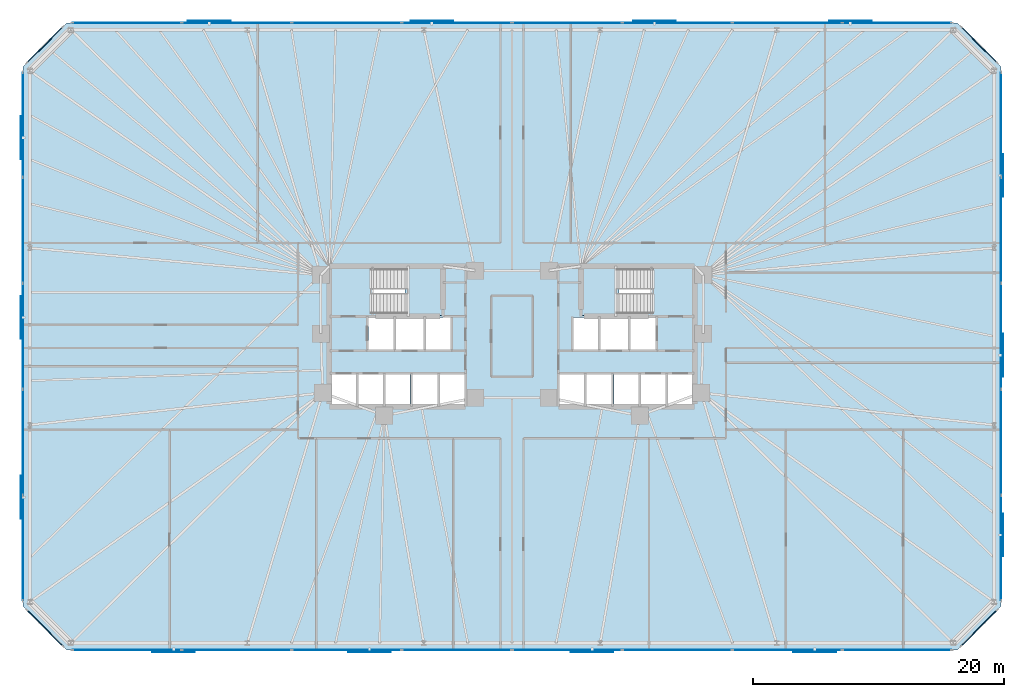
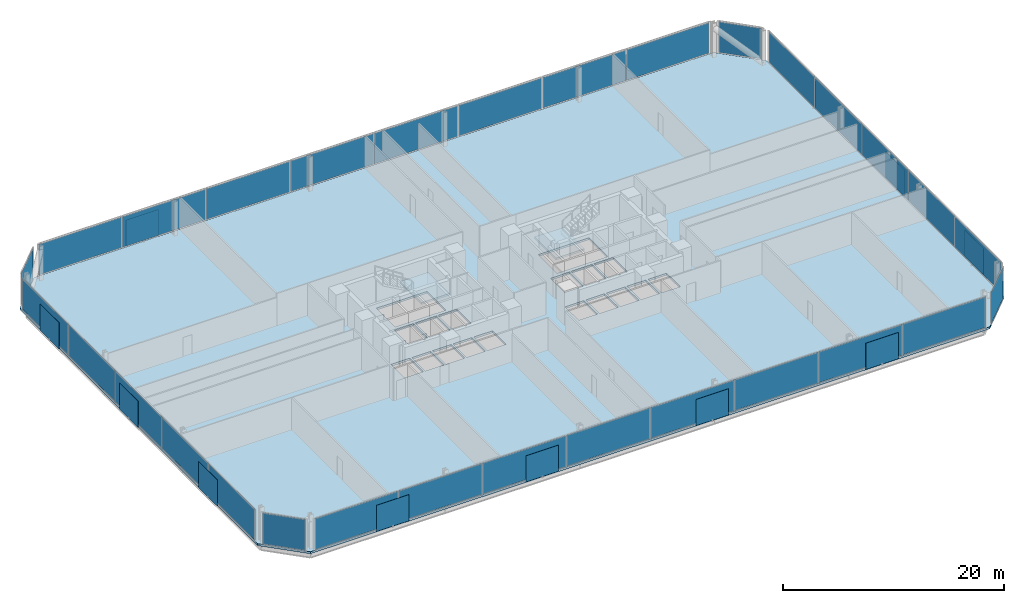
# One storey, part 11 of 17: 44 plates, 3 slabs, 10 elements without a shape of their own.
"""IFC4 building model written with IfcOpenShell, lengths in metres."""

from ifc_helpers import new_model, si_unit, direction, frame, origin, origin_2d, place, context, subcontext, project, spatial, polyline, rectangle, outline, extrude, material, layer, layer_set, type_object, element, aggregate, save


model = new_model("IFC4")

# Units and contexts
model_context = context("Model", 3, precision=1e-05, world=origin(), true_north=direction((0.0, 1.0)))
body_context = subcontext(model_context, "Body", "Model", "MODEL_VIEW")
ifc_project = project(units=[si_unit("LENGTHUNIT", "METRE"), si_unit("AREAUNIT", "SQUARE_METRE"), si_unit("VOLUMEUNIT", "CUBIC_METRE"), si_unit("PLANEANGLEUNIT", "RADIAN"), si_unit("MASSUNIT", "GRAM", prefix="KILO")], contexts=[model_context])

# Site, building, storey
site_placement = place(None, origin())
site = spatial("IfcSite", under=ifc_project, at=site_placement, CompositionType="ELEMENT")
building_placement = place(site_placement, origin())
building = spatial("IfcBuilding", under=site, at=building_placement, Name="Menara Jurai Vektor", CompositionType="ELEMENT")
storey_placement = place(building_placement, frame((0.0, 0.0, 29.39990234375)))
storey = spatial("IfcBuildingStorey", under=building, at=storey_placement, Name="L06", CompositionType="ELEMENT", Elevation=29.39990234375)

# Curtain wall, plates
ifc_material_1 = material(Name="Anodised Pale Aluminium & Low-E Double Glazing", Category="aluminium")
curtain_wall_type = type_object("IfcCurtainWallType", Name="CW-BLK1", PredefinedType="NOTDEFINED", material=ifc_material_1)
curtain_wall_1_placement = place(storey_placement, origin())
curtain_wall_1 = element("IfcCurtainWall", 1, at=curtain_wall_1_placement, inside=storey, type_object=curtain_wall_type, Name="Unitised Curtain Wall L06 F01", PredefinedType="NOTDEFINED")
ifc_material_2 = material(Name="Low-E Solar-Control Double Glazed Unit", Category="glass")
ifc_layer_1 = layer(ifc_material_2, 0.035888671875)
ifc_layer_set_1 = layer_set([ifc_layer_1], Name="Low-E Solar-Control Double Glazed Unit")
plate_type_1 = type_object("IfcPlateType", Name="CW-BLK1-PNL", PredefinedType="CURTAIN_PANEL", material=ifc_layer_set_1)
plate_1_placement = place(storey_placement, frame((-30.706298828125, -25.0, 0.09521484375), z_axis=(0.0, 0.0, 1.0), x_axis=(1.0, 0.0, 0.0)))
plate_1 = element("IfcPlate", 2, at=plate_1_placement, type_object=plate_type_1, Name="CW-01 panel 1.1", PredefinedType="CURTAIN_PANEL", context=body_context, shape_type="SweptSolid", body=[
    extrude(rectangle(XDim=8.637451171875, YDim=0.035888671875, at=origin_2d()), origin(), (0.0, 0.0, 1.0), 3.385009765625),
])
plate_2_placement = place(storey_placement, frame((-21.949951171875, -25.0, 0.09521484375), z_axis=(0.0, 0.0, 1.0), x_axis=(1.0, 0.0, 0.0)))
plate_2 = element("IfcPlate", 3, at=plate_2_placement, type_object=plate_type_1, Name="CW-01 panel 2.1", PredefinedType="CURTAIN_PANEL", context=body_context, shape_type="SweptSolid", body=[
    extrude(rectangle(XDim=8.68505859375, YDim=0.035888671875, at=origin_2d()), origin(), (0.0, 0.0, 1.0), 3.385009765625),
])
plate_3_placement = place(storey_placement, frame((-13.169921875, -25.0, 0.09521484375), z_axis=(0.0, 0.0, 1.0), x_axis=(1.0, 0.0, 0.0)))
plate_3 = element("IfcPlate", 4, at=plate_3_placement, type_object=plate_type_1, Name="CW-01 panel 3.1", PredefinedType="CURTAIN_PANEL", context=body_context, shape_type="SweptSolid", body=[
    extrude(rectangle(XDim=8.68505859375, YDim=0.035888671875, at=origin_2d()), origin(), (0.0, 0.0, 1.0), 3.385009765625),
])
plate_4_placement = place(storey_placement, frame((-4.389892578125, -25.0, 0.09521484375), z_axis=(0.0, 0.0, 1.0), x_axis=(1.0, 0.0, 0.0)))
plate_4 = element("IfcPlate", 5, at=plate_4_placement, type_object=plate_type_1, Name="CW-01 panel 4.1", PredefinedType="CURTAIN_PANEL", context=body_context, shape_type="SweptSolid", body=[
    extrude(rectangle(XDim=8.68505859375, YDim=0.035888671875, at=origin_2d()), origin(), (0.0, 0.0, 1.0), 3.385009765625),
])
plate_5_placement = place(storey_placement, frame((4.389892578125, -25.0, 0.09521484375), z_axis=(0.0, 0.0, 1.0), x_axis=(1.0, 0.0, 0.0)))
plate_5 = element("IfcPlate", 6, at=plate_5_placement, type_object=plate_type_1, Name="CW-01 panel 5.1", PredefinedType="CURTAIN_PANEL", context=body_context, shape_type="SweptSolid", body=[
    extrude(rectangle(XDim=8.68505859375, YDim=0.035888671875, at=origin_2d()), origin(), (0.0, 0.0, 1.0), 3.385009765625),
])
plate_6_placement = place(storey_placement, frame((13.169921875, -25.0, 0.09521484375), z_axis=(0.0, 0.0, 1.0), x_axis=(1.0, 0.0, 0.0)))
plate_6 = element("IfcPlate", 7, at=plate_6_placement, type_object=plate_type_1, Name="CW-01 panel 6.1", PredefinedType="CURTAIN_PANEL", context=body_context, shape_type="SweptSolid", body=[
    extrude(rectangle(XDim=8.68505859375, YDim=0.035888671875, at=origin_2d()), origin(), (0.0, 0.0, 1.0), 3.385009765625),
])
plate_7_placement = place(storey_placement, frame((21.949951171875, -25.0, 0.09521484375), z_axis=(0.0, 0.0, 1.0), x_axis=(1.0, 0.0, 0.0)))
plate_7 = element("IfcPlate", 8, at=plate_7_placement, type_object=plate_type_1, Name="CW-01 panel 7.1", PredefinedType="CURTAIN_PANEL", context=body_context, shape_type="SweptSolid", body=[
    extrude(rectangle(XDim=8.68505859375, YDim=0.035888671875, at=origin_2d()), origin(), (0.0, 0.0, 1.0), 3.385009765625),
])
plate_8_placement = place(storey_placement, frame((30.706298828125, -25.0, 0.09521484375), z_axis=(0.0, 0.0, 1.0), x_axis=(1.0, 0.0, 0.0)))
plate_8 = element("IfcPlate", 9, at=plate_8_placement, type_object=plate_type_1, Name="CW-01 panel 8.1", PredefinedType="CURTAIN_PANEL", context=body_context, shape_type="SweptSolid", body=[
    extrude(rectangle(XDim=8.637451171875, YDim=0.035888671875, at=origin_2d()), origin(), (0.0, 0.0, 1.0), 3.385009765625),
])
aggregate(curtain_wall_1, [plate_1, plate_2, plate_3, plate_4, plate_5, plate_6, plate_7, plate_8])

curtain_wall_2_placement = place(storey_placement, origin())
curtain_wall_2 = element("IfcCurtainWall", 10, at=curtain_wall_2_placement, inside=storey, type_object=curtain_wall_type, Name="Unitised Curtain Wall L06 F03", PredefinedType="NOTDEFINED")
plate_9_placement = place(storey_placement, frame((39.0, -16.872314453125, 0.09521484375), z_axis=(0.0, 0.0, 1.0), x_axis=(0.0, 1.0, 0.0)))
plate_9 = element("IfcPlate", 11, at=plate_9_placement, type_object=plate_type_1, Name="CW-01 panel 1.1", PredefinedType="CURTAIN_PANEL", context=body_context, shape_type="SweptSolid", body=[
    extrude(rectangle(XDim=8.305419921875, YDim=0.035888671875, at=origin_2d()), origin(), (0.0, 0.0, 1.0), 3.385009765625),
])
plate_10_placement = place(storey_placement, frame((39.0, -8.447998046875, 0.09521484375), z_axis=(0.0, 0.0, 1.0), x_axis=(0.0, 1.0, 0.0)))
plate_10 = element("IfcPlate", 12, at=plate_10_placement, type_object=plate_type_1, Name="CW-01 panel 2.1", PredefinedType="CURTAIN_PANEL", context=body_context, shape_type="SweptSolid", body=[
    extrude(rectangle(XDim=8.35302734375, YDim=0.035888671875, at=origin_2d()), origin(), (0.0, 0.0, 1.0), 3.385009765625),
])
plate_11_placement = place(storey_placement, frame((39.0, 0.0, 0.09521484375), z_axis=(0.0, 0.0, 1.0), x_axis=(0.0, 1.0, 0.0)))
plate_11 = element("IfcPlate", 13, at=plate_11_placement, type_object=plate_type_1, Name="CW-01 panel 3.1", PredefinedType="CURTAIN_PANEL", context=body_context, shape_type="SweptSolid", body=[
    extrude(rectangle(XDim=8.35302734375, YDim=0.035888671875, at=origin_2d()), origin(), (0.0, 0.0, 1.0), 3.385009765625),
])
plate_12_placement = place(storey_placement, frame((39.0, 8.447998046875, 0.09521484375), z_axis=(0.0, 0.0, 1.0), x_axis=(0.0, 1.0, 0.0)))
plate_12 = element("IfcPlate", 14, at=plate_12_placement, type_object=plate_type_1, Name="CW-01 panel 4.1", PredefinedType="CURTAIN_PANEL", context=body_context, shape_type="SweptSolid", body=[
    extrude(rectangle(XDim=8.35302734375, YDim=0.035888671875, at=origin_2d()), origin(), (0.0, 0.0, 1.0), 3.385009765625),
])
plate_13_placement = place(storey_placement, frame((39.0, 16.872314453125, 0.09521484375), z_axis=(0.0, 0.0, 1.0), x_axis=(0.0, 1.0, 0.0)))
plate_13 = element("IfcPlate", 15, at=plate_13_placement, type_object=plate_type_1, Name="CW-01 panel 5.1", PredefinedType="CURTAIN_PANEL", context=body_context, shape_type="SweptSolid", body=[
    extrude(rectangle(XDim=8.305419921875, YDim=0.035888671875, at=origin_2d()), origin(), (0.0, 0.0, 1.0), 3.385009765625),
])
aggregate(curtain_wall_2, [plate_9, plate_10, plate_11, plate_12, plate_13])

curtain_wall_3_placement = place(storey_placement, origin())
curtain_wall_3 = element("IfcCurtainWall", 16, at=curtain_wall_3_placement, inside=storey, type_object=curtain_wall_type, Name="Unitised Curtain Wall L06 F05", PredefinedType="NOTDEFINED")
plate_14_placement = place(storey_placement, frame((30.706298828125, 25.0, 0.09521484375), z_axis=(0.0, 0.0, 1.0), x_axis=(-1.0, 0.0, 0.0)))
plate_14 = element("IfcPlate", 17, at=plate_14_placement, type_object=plate_type_1, Name="CW-01 panel 1.1", PredefinedType="CURTAIN_PANEL", context=body_context, shape_type="SweptSolid", body=[
    extrude(rectangle(XDim=8.637451171875, YDim=0.035888671875, at=origin_2d()), origin(), (0.0, 0.0, 1.0), 3.385009765625),
])
plate_15_placement = place(storey_placement, frame((21.949951171875, 25.0, 0.09521484375), z_axis=(0.0, 0.0, 1.0), x_axis=(-1.0, 0.0, 0.0)))
plate_15 = element("IfcPlate", 18, at=plate_15_placement, type_object=plate_type_1, Name="CW-01 panel 2.1", PredefinedType="CURTAIN_PANEL", context=body_context, shape_type="SweptSolid", body=[
    extrude(rectangle(XDim=8.68505859375, YDim=0.035888671875, at=origin_2d()), origin(), (0.0, 0.0, 1.0), 3.385009765625),
])
plate_16_placement = place(storey_placement, frame((13.169921875, 25.0, 0.09521484375), z_axis=(0.0, 0.0, 1.0), x_axis=(-1.0, 0.0, 0.0)))
plate_16 = element("IfcPlate", 19, at=plate_16_placement, type_object=plate_type_1, Name="CW-01 panel 3.1", PredefinedType="CURTAIN_PANEL", context=body_context, shape_type="SweptSolid", body=[
    extrude(rectangle(XDim=8.68505859375, YDim=0.035888671875, at=origin_2d()), origin(), (0.0, 0.0, 1.0), 3.385009765625),
])
plate_17_placement = place(storey_placement, frame((4.389892578125, 25.0, 0.09521484375), z_axis=(0.0, 0.0, 1.0), x_axis=(-1.0, 0.0, 0.0)))
plate_17 = element("IfcPlate", 20, at=plate_17_placement, type_object=plate_type_1, Name="CW-01 panel 4.1", PredefinedType="CURTAIN_PANEL", context=body_context, shape_type="SweptSolid", body=[
    extrude(rectangle(XDim=8.68505859375, YDim=0.035888671875, at=origin_2d()), origin(), (0.0, 0.0, 1.0), 3.385009765625),
])
plate_18_placement = place(storey_placement, frame((-4.389892578125, 25.0, 0.09521484375), z_axis=(0.0, 0.0, 1.0), x_axis=(-1.0, 0.0, 0.0)))
plate_18 = element("IfcPlate", 21, at=plate_18_placement, type_object=plate_type_1, Name="CW-01 panel 5.1", PredefinedType="CURTAIN_PANEL", context=body_context, shape_type="SweptSolid", body=[
    extrude(rectangle(XDim=8.68505859375, YDim=0.035888671875, at=origin_2d()), origin(), (0.0, 0.0, 1.0), 3.385009765625),
])
plate_19_placement = place(storey_placement, frame((-13.169921875, 25.0, 0.09521484375), z_axis=(0.0, 0.0, 1.0), x_axis=(-1.0, 0.0, 0.0)))
plate_19 = element("IfcPlate", 22, at=plate_19_placement, type_object=plate_type_1, Name="CW-01 panel 6.1", PredefinedType="CURTAIN_PANEL", context=body_context, shape_type="SweptSolid", body=[
    extrude(rectangle(XDim=8.68505859375, YDim=0.035888671875, at=origin_2d()), origin(), (0.0, 0.0, 1.0), 3.385009765625),
])
plate_20_placement = place(storey_placement, frame((-21.949951171875, 25.0, 0.09521484375), z_axis=(0.0, 0.0, 1.0), x_axis=(-1.0, 0.0, 0.0)))
plate_20 = element("IfcPlate", 23, at=plate_20_placement, type_object=plate_type_1, Name="CW-01 panel 7.1", PredefinedType="CURTAIN_PANEL", context=body_context, shape_type="SweptSolid", body=[
    extrude(rectangle(XDim=8.68505859375, YDim=0.035888671875, at=origin_2d()), origin(), (0.0, 0.0, 1.0), 3.385009765625),
])
plate_21_placement = place(storey_placement, frame((-30.706298828125, 25.0, 0.09521484375), z_axis=(0.0, 0.0, 1.0), x_axis=(-1.0, 0.0, 0.0)))
plate_21 = element("IfcPlate", 24, at=plate_21_placement, type_object=plate_type_1, Name="CW-01 panel 8.1", PredefinedType="CURTAIN_PANEL", context=body_context, shape_type="SweptSolid", body=[
    extrude(rectangle(XDim=8.637451171875, YDim=0.035888671875, at=origin_2d()), origin(), (0.0, 0.0, 1.0), 3.385009765625),
])
aggregate(curtain_wall_3, [plate_14, plate_15, plate_16, plate_17, plate_18, plate_19, plate_20, plate_21])

curtain_wall_4_placement = place(storey_placement, origin())
curtain_wall_4 = element("IfcCurtainWall", 25, at=curtain_wall_4_placement, inside=storey, type_object=curtain_wall_type, Name="Unitised Curtain Wall L06 F07", PredefinedType="NOTDEFINED")
plate_22_placement = place(storey_placement, frame((-39.0, 16.872314453125, 0.09521484375), z_axis=(0.0, 0.0, 1.0), x_axis=(0.0, -1.0, 0.0)))
plate_22 = element("IfcPlate", 26, at=plate_22_placement, type_object=plate_type_1, Name="CW-01 panel 1.1", PredefinedType="CURTAIN_PANEL", context=body_context, shape_type="SweptSolid", body=[
    extrude(rectangle(XDim=8.305419921875, YDim=0.035888671875, at=origin_2d()), origin(), (0.0, 0.0, 1.0), 3.385009765625),
])
plate_23_placement = place(storey_placement, frame((-39.0, 8.447998046875, 0.09521484375), z_axis=(0.0, 0.0, 1.0), x_axis=(0.0, -1.0, 0.0)))
plate_23 = element("IfcPlate", 27, at=plate_23_placement, type_object=plate_type_1, Name="CW-01 panel 2.1", PredefinedType="CURTAIN_PANEL", context=body_context, shape_type="SweptSolid", body=[
    extrude(rectangle(XDim=8.35302734375, YDim=0.035888671875, at=origin_2d()), origin(), (0.0, 0.0, 1.0), 3.385009765625),
])
plate_24_placement = place(storey_placement, frame((-39.0, 0.0, 0.09521484375), z_axis=(0.0, 0.0, 1.0), x_axis=(0.0, -1.0, 0.0)))
plate_24 = element("IfcPlate", 28, at=plate_24_placement, type_object=plate_type_1, Name="CW-01 panel 3.1", PredefinedType="CURTAIN_PANEL", context=body_context, shape_type="SweptSolid", body=[
    extrude(rectangle(XDim=8.35302734375, YDim=0.035888671875, at=origin_2d()), origin(), (0.0, 0.0, 1.0), 3.385009765625),
])
plate_25_placement = place(storey_placement, frame((-39.0, -8.447998046875, 0.09521484375), z_axis=(0.0, 0.0, 1.0), x_axis=(0.0, -1.0, 0.0)))
plate_25 = element("IfcPlate", 29, at=plate_25_placement, type_object=plate_type_1, Name="CW-01 panel 4.1", PredefinedType="CURTAIN_PANEL", context=body_context, shape_type="SweptSolid", body=[
    extrude(rectangle(XDim=8.35302734375, YDim=0.035888671875, at=origin_2d()), origin(), (0.0, 0.0, 1.0), 3.385009765625),
])
plate_26_placement = place(storey_placement, frame((-39.0, -16.872314453125, 0.09521484375), z_axis=(0.0, 0.0, 1.0), x_axis=(0.0, -1.0, 0.0)))
plate_26 = element("IfcPlate", 30, at=plate_26_placement, type_object=plate_type_1, Name="CW-01 panel 5.1", PredefinedType="CURTAIN_PANEL", context=body_context, shape_type="SweptSolid", body=[
    extrude(rectangle(XDim=8.305419921875, YDim=0.035888671875, at=origin_2d()), origin(), (0.0, 0.0, 1.0), 3.385009765625),
])
aggregate(curtain_wall_4, [plate_22, plate_23, plate_24, plate_25, plate_26])

# Curtain wall, plate
curtain_wall_5_placement = place(storey_placement, origin())
curtain_wall_5 = element("IfcCurtainWall", 31, at=curtain_wall_5_placement, inside=storey, type_object=curtain_wall_type, Name="Unitised Curtain Wall L06 F02", PredefinedType="NOTDEFINED")
ifc_material_3 = material(Name="Insulated Pale Aluminium Spandrel Panel", Category="aluminium")
ifc_layer_2 = layer(ifc_material_3, 0.06005859375)
ifc_layer_set_2 = layer_set([ifc_layer_2], Name="Insulated Pale Aluminium Spandrel Panel")
plate_type_2 = type_object("IfcPlateType", Name="CW-PNL-SP", PredefinedType="CURTAIN_PANEL", material=ifc_layer_set_2)
plate_27_placement = place(storey_placement, frame((37.25, -23.25, 0.09521484375), z_axis=(0.0, 0.0, 1.0), x_axis=(0.707106781187, 0.707106781187, 0.0)))
plate_27 = element("IfcPlate", 32, at=plate_27_placement, type_object=plate_type_2, Name="CW-01 panel 1.1", PredefinedType="CURTAIN_PANEL", context=body_context, shape_type="SweptSolid", body=[
    extrude(rectangle(XDim=3.999755859375, YDim=0.06005859375, at=origin_2d()), origin(), (0.0, 0.0, 1.0), 3.385009765625),
])
aggregate(curtain_wall_5, [plate_27])

curtain_wall_6_placement = place(storey_placement, origin())
curtain_wall_6 = element("IfcCurtainWall", 33, at=curtain_wall_6_placement, inside=storey, type_object=curtain_wall_type, Name="Unitised Curtain Wall L06 F04", PredefinedType="NOTDEFINED")
plate_28_placement = place(storey_placement, frame((37.25, 23.25, 0.09521484375), z_axis=(0.0, 0.0, 1.0), x_axis=(-0.707106781187, 0.707106781187, 0.0)))
plate_28 = element("IfcPlate", 34, at=plate_28_placement, type_object=plate_type_2, Name="CW-01 panel 1.1", PredefinedType="CURTAIN_PANEL", context=body_context, shape_type="SweptSolid", body=[
    extrude(rectangle(XDim=3.999755859375, YDim=0.06005859375, at=origin_2d()), origin(), (0.0, 0.0, 1.0), 3.385009765625),
])
aggregate(curtain_wall_6, [plate_28])

curtain_wall_7_placement = place(storey_placement, origin())
curtain_wall_7 = element("IfcCurtainWall", 35, at=curtain_wall_7_placement, inside=storey, type_object=curtain_wall_type, Name="Unitised Curtain Wall L06 F06", PredefinedType="NOTDEFINED")
plate_29_placement = place(storey_placement, frame((-37.25, 23.25, 0.09521484375), z_axis=(0.0, 0.0, 1.0), x_axis=(-0.707106781187, -0.707106781187, 0.0)))
plate_29 = element("IfcPlate", 36, at=plate_29_placement, type_object=plate_type_2, Name="CW-01 panel 1.1", PredefinedType="CURTAIN_PANEL", context=body_context, shape_type="SweptSolid", body=[
    extrude(rectangle(XDim=3.999755859375, YDim=0.06005859375, at=origin_2d()), origin(), (0.0, 0.0, 1.0), 3.385009765625),
])
aggregate(curtain_wall_7, [plate_29])

curtain_wall_8_placement = place(storey_placement, origin())
curtain_wall_8 = element("IfcCurtainWall", 37, at=curtain_wall_8_placement, inside=storey, type_object=curtain_wall_type, Name="Unitised Curtain Wall L06 F08", PredefinedType="NOTDEFINED")
plate_30_placement = place(storey_placement, frame((-37.25, -23.25, 0.09521484375), z_axis=(0.0, 0.0, 1.0), x_axis=(0.707106781187, -0.707106781187, 0.0)))
plate_30 = element("IfcPlate", 38, at=plate_30_placement, type_object=plate_type_2, Name="CW-01 panel 1.1", PredefinedType="CURTAIN_PANEL", context=body_context, shape_type="SweptSolid", body=[
    extrude(rectangle(XDim=3.999755859375, YDim=0.06005859375, at=origin_2d()), origin(), (0.0, 0.0, 1.0), 3.385009765625),
])
aggregate(curtain_wall_8, [plate_30])

# Plates
ifc_material_4 = material(Name="Anodised Pale Aluminium Perforated Screen", Category="aluminium")
ifc_layer_3 = layer(ifc_material_4, 0.02392578125)
ifc_layer_set_3 = layer_set([ifc_layer_3], Name="Anodised Pale Aluminium Perforated Screen")
plate_type_3 = type_object("IfcPlateType", Name="ENV-PLT-SCREEN", PredefinedType="USERDEFINED", material=ifc_layer_set_3)
for number, where, z_axis, x_axis, name in (
    (39, (-26.97998046875, -25.159912109375, -0.0498046875), (0.0, 0.0, 1.0), (1.0, 0.0, 0.0), "Perforated Pale-Metal Solar Screen L06-S01"),
    (40, (-11.360107421875, -25.159912109375, -0.0498046875), (0.0, 0.0, 1.0), (1.0, 0.0, 0.0), "Perforated Pale-Metal Solar Screen L06-S02"),
    (41, (6.389892578125, -25.159912109375, -0.0498046875), (0.0, 0.0, 1.0), (1.0, 0.0, 0.0), "Perforated Pale-Metal Solar Screen L06-S03"),
    (42, (24.139892578125, -25.159912109375, -0.0498046875), (0.0, 0.0, 1.0), (1.0, 0.0, 0.0), "Perforated Pale-Metal Solar Screen L06-S04"),
    (43, (39.159912109375, -15.83837890625, -0.0498046875), (0.0, 0.0, 1.0), (0.0, 1.0, 0.0), "Perforated Pale-Metal Solar Screen L06-S05"),
    (44, (39.159912109375, -1.5048828125, -0.0498046875), (0.0, 0.0, 1.0), (0.0, 1.0, 0.0), "Perforated Pale-Metal Solar Screen L06-S06"),
    (45, (39.159912109375, 12.828369140625, -0.0498046875), (0.0, 0.0, 1.0), (0.0, 1.0, 0.0), "Perforated Pale-Metal Solar Screen L06-S07"),
    (46, (26.97998046875, 25.159912109375, -0.0498046875), (0.0, 0.0, 1.0), (-1.0, 0.0, 0.0), "Perforated Pale-Metal Solar Screen L06-S08"),
    (47, (11.360107421875, 25.159912109375, -0.0498046875), (0.0, 0.0, 1.0), (-1.0, 0.0, 0.0), "Perforated Pale-Metal Solar Screen L06-S09"),
    (48, (-6.389892578125, 25.159912109375, -0.0498046875), (0.0, 0.0, 1.0), (-1.0, 0.0, 0.0), "Perforated Pale-Metal Solar Screen L06-S10"),
    (49, (-24.139892578125, 25.159912109375, -0.0498046875), (0.0, 0.0, 1.0), (-1.0, 0.0, 0.0), "Perforated Pale-Metal Solar Screen L06-S11"),
    (50, (-39.159912109375, 15.83837890625, -0.0498046875), (0.0, 0.0, 1.0), (0.0, -1.0, 0.0), "Perforated Pale-Metal Solar Screen L06-S12"),
    (51, (-39.159912109375, 1.5048828125, -0.0498046875), (0.0, 0.0, 1.0), (0.0, -1.0, 0.0), "Perforated Pale-Metal Solar Screen L06-S13"),
    (52, (-39.159912109375, -12.828369140625, -0.0498046875), (0.0, 0.0, 1.0), (0.0, -1.0, 0.0), "Perforated Pale-Metal Solar Screen L06-S14"),
):
    element("IfcPlate", number, at=place(storey_placement, frame(where, z_axis=z_axis, x_axis=x_axis)), inside=storey, type_object=plate_type_3, Name=name, ObjectType="SCREEN", PredefinedType="USERDEFINED", context=body_context, shape_type="SweptSolid", body=[
        extrude(rectangle(XDim=3.39990234375, YDim=0.02392578125, at=origin_2d()), origin(), (0.0, 0.0, 1.0), 2.89990234375),
    ])

# Stair, slab
ifc_material_5 = material(Name="Concrete C40/50", Category="concrete")
stair_type = type_object("IfcStairType", Name="STAIR-DOGLEG-1500", PredefinedType="HALF_TURN_STAIR", material=ifc_material_5)
stair_1_placement = place(storey_placement, origin())
stair_1 = element("IfcStair", 53, at=stair_1_placement, inside=storey, type_object=stair_type, Name="Protected Exit Stair ST1 L06", PredefinedType="HALF_TURN_STAIR")
ifc_layer_4 = layer(ifc_material_5, 0.199951171875)
ifc_layer_set_4 = layer_set([ifc_layer_4], Name="Concrete C40/50")
slab_type_1 = type_object("IfcSlabType", Name="STAIR-LANDING-200", PredefinedType="LANDING", material=ifc_layer_set_4)
slab_1_placement = place(storey_placement, frame((0.0, 0.0, 1.7001953125)))
slab_1 = element("IfcSlab", 54, at=slab_1_placement, type_object=slab_type_1, Name="ST1 landing 1", PredefinedType="LANDING", context=body_context, shape_type="SweptSolid", body=[
    extrude(outline(polyline([(-8.52001953125, 1.64990234375), (-5.550048828125, 1.64990234375), (-5.550048828125, 5.550048828125), (-8.52001953125, 5.550048828125), (-8.52001953125, 1.64990234375)])), origin(), (0.0, 0.0, 1.0), 0.199951171875),
])
aggregate(stair_1, [slab_1])

stair_2_placement = place(storey_placement, origin())
stair_2 = element("IfcStair", 55, at=stair_2_placement, inside=storey, type_object=stair_type, Name="Protected Exit Stair ST2 L06", PredefinedType="HALF_TURN_STAIR")
slab_2_placement = place(storey_placement, frame((0.0, 0.0, 1.7001953125)))
slab_2 = element("IfcSlab", 56, at=slab_2_placement, type_object=slab_type_1, Name="ST2 landing 1", PredefinedType="LANDING", context=body_context, shape_type="SweptSolid", body=[
    extrude(outline(polyline([(5.550048828125, 1.64990234375), (8.52001953125, 1.64990234375), (8.52001953125, 5.550048828125), (5.550048828125, 5.550048828125), (5.550048828125, 1.64990234375)])), origin(), (0.0, 0.0, 1.0), 0.199951171875),
])
aggregate(stair_2, [slab_2])

# Slab
ifc_layer_5 = layer(ifc_material_5, 0.22509765625)
ifc_layer_set_5 = layer_set([ifc_layer_5], Name="Concrete C40/50")
slab_type_2 = type_object("IfcSlabType", Name="STR-SLAB-TYP200", PredefinedType="FLOOR", material=ifc_layer_set_5)
slab_3_placement = place(storey_placement, frame((0.0, 0.0, -0.224853515625)))
element("IfcSlab", 57, at=slab_3_placement, inside=storey, type_object=slab_type_2, Name="Composite Floor Slab L06", PredefinedType="FLOOR", context=body_context, shape_type="SweptSolid", body=[
    extrude(outline(polyline([(-35.5, -25.0), (35.5, -25.0), (39.0, -21.5), (39.0, 21.5), (35.5, 25.0), (-35.5, 25.0), (-39.0, 21.5), (-39.0, -21.5), (-35.5, -25.0)]), holes=[polyline([(-11.10009765625, 1.89990234375), (-11.10009765625, 5.300048828125), (-5.800048828125, 5.300048828125), (-5.800048828125, 1.89990234375), (-11.10009765625, 1.89990234375)]), polyline([(5.800048828125, 1.89990234375), (5.800048828125, 5.300048828125), (11.10009765625, 5.300048828125), (11.10009765625, 1.89990234375), (5.800048828125, 1.89990234375)]), polyline([(-11.449951171875, -1.050048828125), (-11.449951171875, 1.5), (-9.449951171875, 1.5), (-9.449951171875, -1.050048828125), (-11.449951171875, -1.050048828125)]), polyline([(9.449951171875, -1.050048828125), (9.449951171875, 1.5), (11.449951171875, 1.5), (11.449951171875, -1.050048828125), (9.449951171875, -1.050048828125)]), polyline([(-5.760009765625, -5.5), (-5.760009765625, -3.050048828125), (-3.800048828125, -3.050048828125), (-3.800048828125, -5.5), (-5.760009765625, -5.5)]), polyline([(-6.85009765625, -1.050048828125), (-6.85009765625, 1.5), (-4.889892578125, 1.5), (-4.889892578125, -1.050048828125), (-6.85009765625, -1.050048828125)]), polyline([(3.800048828125, -5.5), (3.800048828125, -3.050048828125), (5.760009765625, -3.050048828125), (5.760009765625, -5.5), (3.800048828125, -5.5)]), polyline([(4.889892578125, -1.050048828125), (4.889892578125, 1.5), (6.85009765625, 1.5), (6.85009765625, -1.050048828125), (4.889892578125, -1.050048828125)]), polyline([(-14.39990234375, -5.5), (-14.39990234375, -3.050048828125), (-12.43994140625, -3.050048828125), (-12.43994140625, -5.5), (-14.39990234375, -5.5)]), polyline([(-12.239990234375, -5.5), (-12.239990234375, -3.050048828125), (-10.280029296875, -3.050048828125), (-10.280029296875, -5.5), (-12.239990234375, -5.5)]), polyline([(10.280029296875, -5.5), (10.280029296875, -3.050048828125), (12.239990234375, -3.050048828125), (12.239990234375, -5.5), (10.280029296875, -5.5)]), polyline([(12.43994140625, -5.5), (12.43994140625, -3.050048828125), (14.39990234375, -3.050048828125), (14.39990234375, -5.5), (12.43994140625, -5.5)]), polyline([(-10.080078125, -5.5), (-10.080078125, -3.050048828125), (-8.1201171875, -3.050048828125), (-8.1201171875, -5.5), (-10.080078125, -5.5)]), polyline([(-7.919921875, -5.5), (-7.919921875, -3.050048828125), (-5.9599609375, -3.050048828125), (-5.9599609375, -5.5), (-7.919921875, -5.5)]), polyline([(5.9599609375, -5.5), (5.9599609375, -3.050048828125), (7.919921875, -3.050048828125), (7.919921875, -5.5), (5.9599609375, -5.5)]), polyline([(8.1201171875, -5.5), (8.1201171875, -3.050048828125), (10.080078125, -3.050048828125), (10.080078125, -5.5), (8.1201171875, -5.5)]), polyline([(-9.25, -1.050048828125), (-9.25, 1.5), (-7.050048828125, 1.5), (-7.050048828125, -1.050048828125), (-9.25, -1.050048828125)]), polyline([(7.050048828125, -1.050048828125), (7.050048828125, 1.5), (9.25, 1.5), (9.25, -1.050048828125), (7.050048828125, -1.050048828125)])]), origin(), (0.0, 0.0, 1.0), 0.224853515625),
])

save(model, "model.ifc")
